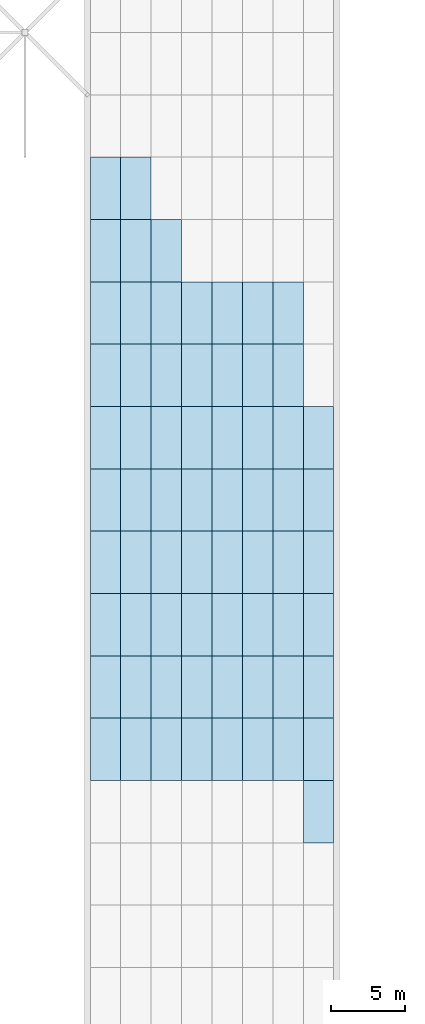
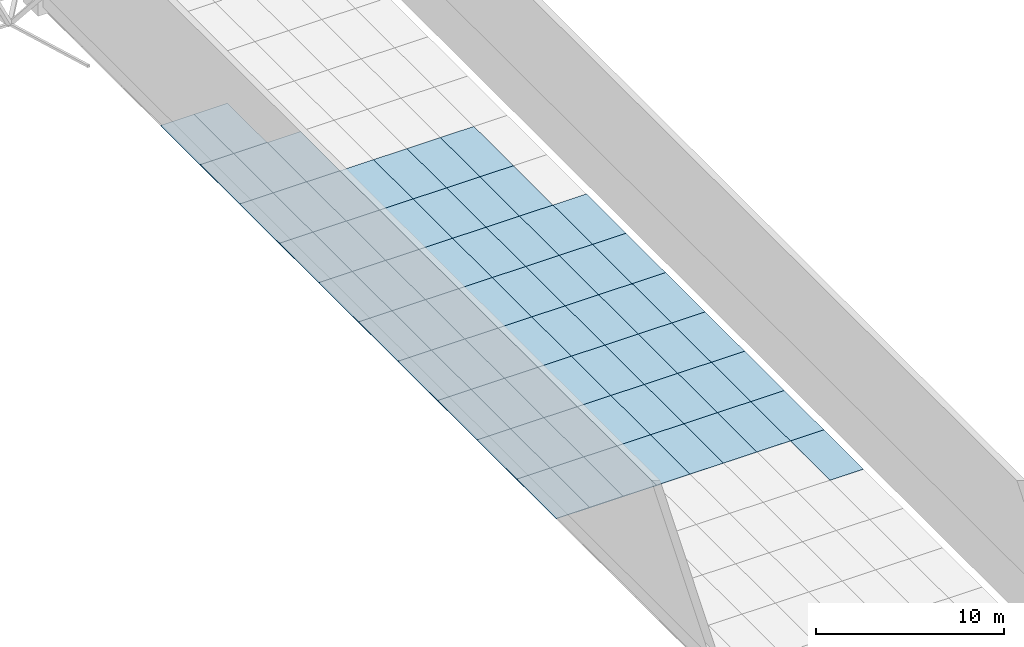
# One storey, part 102 of 163: 68 slabs.
"""IFC4 building model written with IfcOpenShell, lengths in metres."""

from ifc_helpers import new_model, si_unit, direction, frame, origin, place, context, subcontext, project, spatial, polyline, outline, extrude, material, layer, layer_set, type_object, element, save


model = new_model("IFC4")

# Units and contexts
model_context = context("Model", 3, precision=1e-05, world=origin(), true_north=direction((0.0, 1.0)))
body_context = subcontext(model_context, "Body", "Model", "MODEL_VIEW")
ifc_project = project(units=[si_unit("LENGTHUNIT", "METRE"), si_unit("AREAUNIT", "SQUARE_METRE"), si_unit("VOLUMEUNIT", "CUBIC_METRE"), si_unit("PLANEANGLEUNIT", "RADIAN"), si_unit("MASSUNIT", "GRAM", prefix="KILO")], contexts=[model_context])

# Site, building, storey
site_placement = place(None, origin())
site = spatial("IfcSite", under=ifc_project, at=site_placement, CompositionType="ELEMENT")
building_placement = place(site_placement, origin())
building = spatial("IfcBuilding", under=site, at=building_placement, Name="Rain Tree Exposition and Congress Centre", CompositionType="ELEMENT")
storey_placement = place(building_placement, frame((0.0, 0.0, 10.5)))
storey = spatial("IfcBuildingStorey", under=building, at=storey_placement, Name="L02", CompositionType="ELEMENT", Elevation=10.5)

# Slabs
ifc_material = material(Name="Glazing in S355 steel frame, S355J2H tubes", Category="steel")
ifc_layer = layer(ifc_material, 0.0400390625)
ifc_layer_set = layer_set([ifc_layer], Name="Glazing in S355 steel frame, S355J2H tubes")
slab_type = type_object("IfcSlabType", Name="Link roof glass panel 40", PredefinedType="ROOF", material=ifc_layer_set)
slab_1_placement = place(storey_placement, frame((0.0, 0.0, -0.185791015625)))
element("IfcSlab", 1, at=slab_1_placement, inside=storey, type_object=slab_type, Name="Link roof glass panel 88", PredefinedType="ROOF", context=body_context, shape_type="SweptSolid", body=[
    extrude(outline(polyline([(140.550048828125, 142.800048828125), (142.60009765625, 142.800048828125), (142.60009765625, 147.0), (140.550048828125, 147.0), (140.550048828125, 142.800048828125)])), origin(), (0.0, 0.0, 1.0), 0.0400390625),
])
slab_2_placement = place(storey_placement, frame((0.0, 0.0, -0.185791015625)))
element("IfcSlab", 2, at=slab_2_placement, inside=storey, type_object=slab_type, Name="Link roof glass panel 89", PredefinedType="ROOF", context=body_context, shape_type="SweptSolid", body=[
    extrude(outline(polyline([(126.199951171875, 147.0), (128.25, 147.0), (128.25, 151.199951171875), (126.199951171875, 151.199951171875), (126.199951171875, 147.0)])), origin(), (0.0, 0.0, 1.0), 0.0400390625),
])
slab_3_placement = place(storey_placement, frame((0.0, 0.0, -0.185791015625)))
element("IfcSlab", 3, at=slab_3_placement, inside=storey, type_object=slab_type, Name="Link roof glass panel 90", PredefinedType="ROOF", context=body_context, shape_type="SweptSolid", body=[
    extrude(outline(polyline([(128.25, 147.0), (130.300048828125, 147.0), (130.300048828125, 151.199951171875), (128.25, 151.199951171875), (128.25, 147.0)])), origin(), (0.0, 0.0, 1.0), 0.0400390625),
])
slab_4_placement = place(storey_placement, frame((0.0, 0.0, -0.185791015625)))
element("IfcSlab", 4, at=slab_4_placement, inside=storey, type_object=slab_type, Name="Link roof glass panel 91", PredefinedType="ROOF", context=body_context, shape_type="SweptSolid", body=[
    extrude(outline(polyline([(130.300048828125, 147.0), (132.35009765625, 147.0), (132.35009765625, 151.199951171875), (130.300048828125, 151.199951171875), (130.300048828125, 147.0)])), origin(), (0.0, 0.0, 1.0), 0.0400390625),
])
slab_5_placement = place(storey_placement, frame((0.0, 0.0, -0.185791015625)))
element("IfcSlab", 5, at=slab_5_placement, inside=storey, type_object=slab_type, Name="Link roof glass panel 92", PredefinedType="ROOF", context=body_context, shape_type="SweptSolid", body=[
    extrude(outline(polyline([(132.35009765625, 147.0), (134.39990234375, 147.0), (134.39990234375, 151.199951171875), (132.35009765625, 151.199951171875), (132.35009765625, 147.0)])), origin(), (0.0, 0.0, 1.0), 0.0400390625),
])
slab_6_placement = place(storey_placement, frame((0.0, 0.0, -0.185791015625)))
element("IfcSlab", 6, at=slab_6_placement, inside=storey, type_object=slab_type, Name="Link roof glass panel 93", PredefinedType="ROOF", context=body_context, shape_type="SweptSolid", body=[
    extrude(outline(polyline([(134.39990234375, 147.0), (136.449951171875, 147.0), (136.449951171875, 151.199951171875), (134.39990234375, 151.199951171875), (134.39990234375, 147.0)])), origin(), (0.0, 0.0, 1.0), 0.0400390625),
])
slab_7_placement = place(storey_placement, frame((0.0, 0.0, -0.185791015625)))
element("IfcSlab", 7, at=slab_7_placement, inside=storey, type_object=slab_type, Name="Link roof glass panel 94", PredefinedType="ROOF", context=body_context, shape_type="SweptSolid", body=[
    extrude(outline(polyline([(136.449951171875, 147.0), (138.5, 147.0), (138.5, 151.199951171875), (136.449951171875, 151.199951171875), (136.449951171875, 147.0)])), origin(), (0.0, 0.0, 1.0), 0.0400390625),
])
slab_8_placement = place(storey_placement, frame((0.0, 0.0, -0.185791015625)))
element("IfcSlab", 8, at=slab_8_placement, inside=storey, type_object=slab_type, Name="Link roof glass panel 95", PredefinedType="ROOF", context=body_context, shape_type="SweptSolid", body=[
    extrude(outline(polyline([(138.5, 147.0), (140.550048828125, 147.0), (140.550048828125, 151.199951171875), (138.5, 151.199951171875), (138.5, 147.0)])), origin(), (0.0, 0.0, 1.0), 0.0400390625),
])
slab_9_placement = place(storey_placement, frame((0.0, 0.0, -0.185791015625)))
element("IfcSlab", 9, at=slab_9_placement, inside=storey, type_object=slab_type, Name="Link roof glass panel 96", PredefinedType="ROOF", context=body_context, shape_type="SweptSolid", body=[
    extrude(outline(polyline([(140.550048828125, 147.0), (142.60009765625, 147.0), (142.60009765625, 151.199951171875), (140.550048828125, 151.199951171875), (140.550048828125, 147.0)])), origin(), (0.0, 0.0, 1.0), 0.0400390625),
])
slab_10_placement = place(storey_placement, frame((0.0, 0.0, -0.185791015625)))
element("IfcSlab", 10, at=slab_10_placement, inside=storey, type_object=slab_type, Name="Link roof glass panel 97", PredefinedType="ROOF", context=body_context, shape_type="SweptSolid", body=[
    extrude(outline(polyline([(126.199951171875, 151.199951171875), (128.25, 151.199951171875), (128.25, 155.39990234375), (126.199951171875, 155.39990234375), (126.199951171875, 151.199951171875)])), origin(), (0.0, 0.0, 1.0), 0.0400390625),
])
slab_11_placement = place(storey_placement, frame((0.0, 0.0, -0.185791015625)))
element("IfcSlab", 11, at=slab_11_placement, inside=storey, type_object=slab_type, Name="Link roof glass panel 98", PredefinedType="ROOF", context=body_context, shape_type="SweptSolid", body=[
    extrude(outline(polyline([(128.25, 151.199951171875), (130.300048828125, 151.199951171875), (130.300048828125, 155.39990234375), (128.25, 155.39990234375), (128.25, 151.199951171875)])), origin(), (0.0, 0.0, 1.0), 0.0400390625),
])
slab_12_placement = place(storey_placement, frame((0.0, 0.0, -0.185791015625)))
element("IfcSlab", 12, at=slab_12_placement, inside=storey, type_object=slab_type, Name="Link roof glass panel 99", PredefinedType="ROOF", context=body_context, shape_type="SweptSolid", body=[
    extrude(outline(polyline([(130.300048828125, 151.199951171875), (132.35009765625, 151.199951171875), (132.35009765625, 155.39990234375), (130.300048828125, 155.39990234375), (130.300048828125, 151.199951171875)])), origin(), (0.0, 0.0, 1.0), 0.0400390625),
])
slab_13_placement = place(storey_placement, frame((0.0, 0.0, -0.185791015625)))
element("IfcSlab", 13, at=slab_13_placement, inside=storey, type_object=slab_type, Name="Link roof glass panel 100", PredefinedType="ROOF", context=body_context, shape_type="SweptSolid", body=[
    extrude(outline(polyline([(132.35009765625, 151.199951171875), (134.39990234375, 151.199951171875), (134.39990234375, 155.39990234375), (132.35009765625, 155.39990234375), (132.35009765625, 151.199951171875)])), origin(), (0.0, 0.0, 1.0), 0.0400390625),
])
slab_14_placement = place(storey_placement, frame((0.0, 0.0, -0.185791015625)))
element("IfcSlab", 14, at=slab_14_placement, inside=storey, type_object=slab_type, Name="Link roof glass panel 101", PredefinedType="ROOF", context=body_context, shape_type="SweptSolid", body=[
    extrude(outline(polyline([(134.39990234375, 151.199951171875), (136.449951171875, 151.199951171875), (136.449951171875, 155.39990234375), (134.39990234375, 155.39990234375), (134.39990234375, 151.199951171875)])), origin(), (0.0, 0.0, 1.0), 0.0400390625),
])
slab_15_placement = place(storey_placement, frame((0.0, 0.0, -0.185791015625)))
element("IfcSlab", 15, at=slab_15_placement, inside=storey, type_object=slab_type, Name="Link roof glass panel 102", PredefinedType="ROOF", context=body_context, shape_type="SweptSolid", body=[
    extrude(outline(polyline([(136.449951171875, 151.199951171875), (138.5, 151.199951171875), (138.5, 155.39990234375), (136.449951171875, 155.39990234375), (136.449951171875, 151.199951171875)])), origin(), (0.0, 0.0, 1.0), 0.0400390625),
])
slab_16_placement = place(storey_placement, frame((0.0, 0.0, -0.185791015625)))
element("IfcSlab", 16, at=slab_16_placement, inside=storey, type_object=slab_type, Name="Link roof glass panel 103", PredefinedType="ROOF", context=body_context, shape_type="SweptSolid", body=[
    extrude(outline(polyline([(138.5, 151.199951171875), (140.550048828125, 151.199951171875), (140.550048828125, 155.39990234375), (138.5, 155.39990234375), (138.5, 151.199951171875)])), origin(), (0.0, 0.0, 1.0), 0.0400390625),
])
slab_17_placement = place(storey_placement, frame((0.0, 0.0, -0.185791015625)))
element("IfcSlab", 17, at=slab_17_placement, inside=storey, type_object=slab_type, Name="Link roof glass panel 104", PredefinedType="ROOF", context=body_context, shape_type="SweptSolid", body=[
    extrude(outline(polyline([(140.550048828125, 151.199951171875), (142.60009765625, 151.199951171875), (142.60009765625, 155.39990234375), (140.550048828125, 155.39990234375), (140.550048828125, 151.199951171875)])), origin(), (0.0, 0.0, 1.0), 0.0400390625),
])
slab_18_placement = place(storey_placement, frame((0.0, 0.0, -0.185791015625)))
element("IfcSlab", 18, at=slab_18_placement, inside=storey, type_object=slab_type, Name="Link roof glass panel 105", PredefinedType="ROOF", context=body_context, shape_type="SweptSolid", body=[
    extrude(outline(polyline([(126.199951171875, 155.39990234375), (128.25, 155.39990234375), (128.25, 159.60009765625), (126.199951171875, 159.60009765625), (126.199951171875, 155.39990234375)])), origin(), (0.0, 0.0, 1.0), 0.0400390625),
])
slab_19_placement = place(storey_placement, frame((0.0, 0.0, -0.185791015625)))
element("IfcSlab", 19, at=slab_19_placement, inside=storey, type_object=slab_type, Name="Link roof glass panel 106", PredefinedType="ROOF", context=body_context, shape_type="SweptSolid", body=[
    extrude(outline(polyline([(128.25, 155.39990234375), (130.300048828125, 155.39990234375), (130.300048828125, 159.60009765625), (128.25, 159.60009765625), (128.25, 155.39990234375)])), origin(), (0.0, 0.0, 1.0), 0.0400390625),
])
slab_20_placement = place(storey_placement, frame((0.0, 0.0, -0.185791015625)))
element("IfcSlab", 20, at=slab_20_placement, inside=storey, type_object=slab_type, Name="Link roof glass panel 107", PredefinedType="ROOF", context=body_context, shape_type="SweptSolid", body=[
    extrude(outline(polyline([(130.300048828125, 155.39990234375), (132.35009765625, 155.39990234375), (132.35009765625, 159.60009765625), (130.300048828125, 159.60009765625), (130.300048828125, 155.39990234375)])), origin(), (0.0, 0.0, 1.0), 0.0400390625),
])
slab_21_placement = place(storey_placement, frame((0.0, 0.0, -0.185791015625)))
element("IfcSlab", 21, at=slab_21_placement, inside=storey, type_object=slab_type, Name="Link roof glass panel 108", PredefinedType="ROOF", context=body_context, shape_type="SweptSolid", body=[
    extrude(outline(polyline([(132.35009765625, 155.39990234375), (134.39990234375, 155.39990234375), (134.39990234375, 159.60009765625), (132.35009765625, 159.60009765625), (132.35009765625, 155.39990234375)])), origin(), (0.0, 0.0, 1.0), 0.0400390625),
])
slab_22_placement = place(storey_placement, frame((0.0, 0.0, -0.185791015625)))
element("IfcSlab", 22, at=slab_22_placement, inside=storey, type_object=slab_type, Name="Link roof glass panel 109", PredefinedType="ROOF", context=body_context, shape_type="SweptSolid", body=[
    extrude(outline(polyline([(134.39990234375, 155.39990234375), (136.449951171875, 155.39990234375), (136.449951171875, 159.60009765625), (134.39990234375, 159.60009765625), (134.39990234375, 155.39990234375)])), origin(), (0.0, 0.0, 1.0), 0.0400390625),
])
slab_23_placement = place(storey_placement, frame((0.0, 0.0, -0.185791015625)))
element("IfcSlab", 23, at=slab_23_placement, inside=storey, type_object=slab_type, Name="Link roof glass panel 110", PredefinedType="ROOF", context=body_context, shape_type="SweptSolid", body=[
    extrude(outline(polyline([(136.449951171875, 155.39990234375), (138.5, 155.39990234375), (138.5, 159.60009765625), (136.449951171875, 159.60009765625), (136.449951171875, 155.39990234375)])), origin(), (0.0, 0.0, 1.0), 0.0400390625),
])
slab_24_placement = place(storey_placement, frame((0.0, 0.0, -0.185791015625)))
element("IfcSlab", 24, at=slab_24_placement, inside=storey, type_object=slab_type, Name="Link roof glass panel 111", PredefinedType="ROOF", context=body_context, shape_type="SweptSolid", body=[
    extrude(outline(polyline([(138.5, 155.39990234375), (140.550048828125, 155.39990234375), (140.550048828125, 159.60009765625), (138.5, 159.60009765625), (138.5, 155.39990234375)])), origin(), (0.0, 0.0, 1.0), 0.0400390625),
])
slab_25_placement = place(storey_placement, frame((0.0, 0.0, -0.185791015625)))
element("IfcSlab", 25, at=slab_25_placement, inside=storey, type_object=slab_type, Name="Link roof glass panel 112", PredefinedType="ROOF", context=body_context, shape_type="SweptSolid", body=[
    extrude(outline(polyline([(140.550048828125, 155.39990234375), (142.60009765625, 155.39990234375), (142.60009765625, 159.60009765625), (140.550048828125, 159.60009765625), (140.550048828125, 155.39990234375)])), origin(), (0.0, 0.0, 1.0), 0.0400390625),
])
slab_26_placement = place(storey_placement, frame((0.0, 0.0, -0.185791015625)))
element("IfcSlab", 26, at=slab_26_placement, inside=storey, type_object=slab_type, Name="Link roof glass panel 113", PredefinedType="ROOF", context=body_context, shape_type="SweptSolid", body=[
    extrude(outline(polyline([(126.199951171875, 159.60009765625), (128.25, 159.60009765625), (128.25, 163.800048828125), (126.199951171875, 163.800048828125), (126.199951171875, 159.60009765625)])), origin(), (0.0, 0.0, 1.0), 0.0400390625),
])
slab_27_placement = place(storey_placement, frame((0.0, 0.0, -0.185791015625)))
element("IfcSlab", 27, at=slab_27_placement, inside=storey, type_object=slab_type, Name="Link roof glass panel 114", PredefinedType="ROOF", context=body_context, shape_type="SweptSolid", body=[
    extrude(outline(polyline([(128.25, 159.60009765625), (130.300048828125, 159.60009765625), (130.300048828125, 163.800048828125), (128.25, 163.800048828125), (128.25, 159.60009765625)])), origin(), (0.0, 0.0, 1.0), 0.0400390625),
])
slab_28_placement = place(storey_placement, frame((0.0, 0.0, -0.185791015625)))
element("IfcSlab", 28, at=slab_28_placement, inside=storey, type_object=slab_type, Name="Link roof glass panel 115", PredefinedType="ROOF", context=body_context, shape_type="SweptSolid", body=[
    extrude(outline(polyline([(130.300048828125, 159.60009765625), (132.35009765625, 159.60009765625), (132.35009765625, 163.800048828125), (130.300048828125, 163.800048828125), (130.300048828125, 159.60009765625)])), origin(), (0.0, 0.0, 1.0), 0.0400390625),
])
slab_29_placement = place(storey_placement, frame((0.0, 0.0, -0.185791015625)))
element("IfcSlab", 29, at=slab_29_placement, inside=storey, type_object=slab_type, Name="Link roof glass panel 116", PredefinedType="ROOF", context=body_context, shape_type="SweptSolid", body=[
    extrude(outline(polyline([(132.35009765625, 159.60009765625), (134.39990234375, 159.60009765625), (134.39990234375, 163.800048828125), (132.35009765625, 163.800048828125), (132.35009765625, 159.60009765625)])), origin(), (0.0, 0.0, 1.0), 0.0400390625),
])
slab_30_placement = place(storey_placement, frame((0.0, 0.0, -0.185791015625)))
element("IfcSlab", 30, at=slab_30_placement, inside=storey, type_object=slab_type, Name="Link roof glass panel 117", PredefinedType="ROOF", context=body_context, shape_type="SweptSolid", body=[
    extrude(outline(polyline([(134.39990234375, 159.60009765625), (136.449951171875, 159.60009765625), (136.449951171875, 163.800048828125), (134.39990234375, 163.800048828125), (134.39990234375, 159.60009765625)])), origin(), (0.0, 0.0, 1.0), 0.0400390625),
])
slab_31_placement = place(storey_placement, frame((0.0, 0.0, -0.185791015625)))
element("IfcSlab", 31, at=slab_31_placement, inside=storey, type_object=slab_type, Name="Link roof glass panel 118", PredefinedType="ROOF", context=body_context, shape_type="SweptSolid", body=[
    extrude(outline(polyline([(136.449951171875, 159.60009765625), (138.5, 159.60009765625), (138.5, 163.800048828125), (136.449951171875, 163.800048828125), (136.449951171875, 159.60009765625)])), origin(), (0.0, 0.0, 1.0), 0.0400390625),
])
slab_32_placement = place(storey_placement, frame((0.0, 0.0, -0.185791015625)))
element("IfcSlab", 32, at=slab_32_placement, inside=storey, type_object=slab_type, Name="Link roof glass panel 119", PredefinedType="ROOF", context=body_context, shape_type="SweptSolid", body=[
    extrude(outline(polyline([(138.5, 159.60009765625), (140.550048828125, 159.60009765625), (140.550048828125, 163.800048828125), (138.5, 163.800048828125), (138.5, 159.60009765625)])), origin(), (0.0, 0.0, 1.0), 0.0400390625),
])
slab_33_placement = place(storey_placement, frame((0.0, 0.0, -0.185791015625)))
element("IfcSlab", 33, at=slab_33_placement, inside=storey, type_object=slab_type, Name="Link roof glass panel 120", PredefinedType="ROOF", context=body_context, shape_type="SweptSolid", body=[
    extrude(outline(polyline([(140.550048828125, 159.60009765625), (142.60009765625, 159.60009765625), (142.60009765625, 163.800048828125), (140.550048828125, 163.800048828125), (140.550048828125, 159.60009765625)])), origin(), (0.0, 0.0, 1.0), 0.0400390625),
])
slab_34_placement = place(storey_placement, frame((0.0, 0.0, -0.185791015625)))
element("IfcSlab", 34, at=slab_34_placement, inside=storey, type_object=slab_type, Name="Link roof glass panel 121", PredefinedType="ROOF", context=body_context, shape_type="SweptSolid", body=[
    extrude(outline(polyline([(126.199951171875, 163.800048828125), (128.25, 163.800048828125), (128.25, 168.0), (126.199951171875, 168.0), (126.199951171875, 163.800048828125)])), origin(), (0.0, 0.0, 1.0), 0.0400390625),
])
slab_35_placement = place(storey_placement, frame((0.0, 0.0, -0.185791015625)))
element("IfcSlab", 35, at=slab_35_placement, inside=storey, type_object=slab_type, Name="Link roof glass panel 122", PredefinedType="ROOF", context=body_context, shape_type="SweptSolid", body=[
    extrude(outline(polyline([(128.25, 163.800048828125), (130.300048828125, 163.800048828125), (130.300048828125, 168.0), (128.25, 168.0), (128.25, 163.800048828125)])), origin(), (0.0, 0.0, 1.0), 0.0400390625),
])
slab_36_placement = place(storey_placement, frame((0.0, 0.0, -0.185791015625)))
element("IfcSlab", 36, at=slab_36_placement, inside=storey, type_object=slab_type, Name="Link roof glass panel 123", PredefinedType="ROOF", context=body_context, shape_type="SweptSolid", body=[
    extrude(outline(polyline([(130.300048828125, 163.800048828125), (132.35009765625, 163.800048828125), (132.35009765625, 168.0), (130.300048828125, 168.0), (130.300048828125, 163.800048828125)])), origin(), (0.0, 0.0, 1.0), 0.0400390625),
])
slab_37_placement = place(storey_placement, frame((0.0, 0.0, -0.185791015625)))
element("IfcSlab", 37, at=slab_37_placement, inside=storey, type_object=slab_type, Name="Link roof glass panel 124", PredefinedType="ROOF", context=body_context, shape_type="SweptSolid", body=[
    extrude(outline(polyline([(132.35009765625, 163.800048828125), (134.39990234375, 163.800048828125), (134.39990234375, 168.0), (132.35009765625, 168.0), (132.35009765625, 163.800048828125)])), origin(), (0.0, 0.0, 1.0), 0.0400390625),
])
slab_38_placement = place(storey_placement, frame((0.0, 0.0, -0.185791015625)))
element("IfcSlab", 38, at=slab_38_placement, inside=storey, type_object=slab_type, Name="Link roof glass panel 125", PredefinedType="ROOF", context=body_context, shape_type="SweptSolid", body=[
    extrude(outline(polyline([(134.39990234375, 163.800048828125), (136.449951171875, 163.800048828125), (136.449951171875, 168.0), (134.39990234375, 168.0), (134.39990234375, 163.800048828125)])), origin(), (0.0, 0.0, 1.0), 0.0400390625),
])
slab_39_placement = place(storey_placement, frame((0.0, 0.0, -0.185791015625)))
element("IfcSlab", 39, at=slab_39_placement, inside=storey, type_object=slab_type, Name="Link roof glass panel 126", PredefinedType="ROOF", context=body_context, shape_type="SweptSolid", body=[
    extrude(outline(polyline([(136.449951171875, 163.800048828125), (138.5, 163.800048828125), (138.5, 168.0), (136.449951171875, 168.0), (136.449951171875, 163.800048828125)])), origin(), (0.0, 0.0, 1.0), 0.0400390625),
])
slab_40_placement = place(storey_placement, frame((0.0, 0.0, -0.185791015625)))
element("IfcSlab", 40, at=slab_40_placement, inside=storey, type_object=slab_type, Name="Link roof glass panel 127", PredefinedType="ROOF", context=body_context, shape_type="SweptSolid", body=[
    extrude(outline(polyline([(138.5, 163.800048828125), (140.550048828125, 163.800048828125), (140.550048828125, 168.0), (138.5, 168.0), (138.5, 163.800048828125)])), origin(), (0.0, 0.0, 1.0), 0.0400390625),
])
slab_41_placement = place(storey_placement, frame((0.0, 0.0, -0.185791015625)))
element("IfcSlab", 41, at=slab_41_placement, inside=storey, type_object=slab_type, Name="Link roof glass panel 128", PredefinedType="ROOF", context=body_context, shape_type="SweptSolid", body=[
    extrude(outline(polyline([(140.550048828125, 163.800048828125), (142.60009765625, 163.800048828125), (142.60009765625, 168.0), (140.550048828125, 168.0), (140.550048828125, 163.800048828125)])), origin(), (0.0, 0.0, 1.0), 0.0400390625),
])
slab_42_placement = place(storey_placement, frame((0.0, 0.0, -0.185791015625)))
element("IfcSlab", 42, at=slab_42_placement, inside=storey, type_object=slab_type, Name="Link roof glass panel 129", PredefinedType="ROOF", context=body_context, shape_type="SweptSolid", body=[
    extrude(outline(polyline([(126.199951171875, 168.0), (128.25, 168.0), (128.25, 172.199951171875), (126.199951171875, 172.199951171875), (126.199951171875, 168.0)])), origin(), (0.0, 0.0, 1.0), 0.0400390625),
])
slab_43_placement = place(storey_placement, frame((0.0, 0.0, -0.185791015625)))
element("IfcSlab", 43, at=slab_43_placement, inside=storey, type_object=slab_type, Name="Link roof glass panel 130", PredefinedType="ROOF", context=body_context, shape_type="SweptSolid", body=[
    extrude(outline(polyline([(128.25, 168.0), (130.300048828125, 168.0), (130.300048828125, 172.199951171875), (128.25, 172.199951171875), (128.25, 168.0)])), origin(), (0.0, 0.0, 1.0), 0.0400390625),
])
slab_44_placement = place(storey_placement, frame((0.0, 0.0, -0.185791015625)))
element("IfcSlab", 44, at=slab_44_placement, inside=storey, type_object=slab_type, Name="Link roof glass panel 131", PredefinedType="ROOF", context=body_context, shape_type="SweptSolid", body=[
    extrude(outline(polyline([(130.300048828125, 168.0), (132.35009765625, 168.0), (132.35009765625, 172.199951171875), (130.300048828125, 172.199951171875), (130.300048828125, 168.0)])), origin(), (0.0, 0.0, 1.0), 0.0400390625),
])
slab_45_placement = place(storey_placement, frame((0.0, 0.0, -0.185791015625)))
element("IfcSlab", 45, at=slab_45_placement, inside=storey, type_object=slab_type, Name="Link roof glass panel 132", PredefinedType="ROOF", context=body_context, shape_type="SweptSolid", body=[
    extrude(outline(polyline([(132.35009765625, 168.0), (134.39990234375, 168.0), (134.39990234375, 172.199951171875), (132.35009765625, 172.199951171875), (132.35009765625, 168.0)])), origin(), (0.0, 0.0, 1.0), 0.0400390625),
])
slab_46_placement = place(storey_placement, frame((0.0, 0.0, -0.185791015625)))
element("IfcSlab", 46, at=slab_46_placement, inside=storey, type_object=slab_type, Name="Link roof glass panel 133", PredefinedType="ROOF", context=body_context, shape_type="SweptSolid", body=[
    extrude(outline(polyline([(134.39990234375, 168.0), (136.449951171875, 168.0), (136.449951171875, 172.199951171875), (134.39990234375, 172.199951171875), (134.39990234375, 168.0)])), origin(), (0.0, 0.0, 1.0), 0.0400390625),
])
slab_47_placement = place(storey_placement, frame((0.0, 0.0, -0.185791015625)))
element("IfcSlab", 47, at=slab_47_placement, inside=storey, type_object=slab_type, Name="Link roof glass panel 134", PredefinedType="ROOF", context=body_context, shape_type="SweptSolid", body=[
    extrude(outline(polyline([(136.449951171875, 168.0), (138.5, 168.0), (138.5, 172.199951171875), (136.449951171875, 172.199951171875), (136.449951171875, 168.0)])), origin(), (0.0, 0.0, 1.0), 0.0400390625),
])
slab_48_placement = place(storey_placement, frame((0.0, 0.0, -0.185791015625)))
element("IfcSlab", 48, at=slab_48_placement, inside=storey, type_object=slab_type, Name="Link roof glass panel 135", PredefinedType="ROOF", context=body_context, shape_type="SweptSolid", body=[
    extrude(outline(polyline([(138.5, 168.0), (140.550048828125, 168.0), (140.550048828125, 172.199951171875), (138.5, 172.199951171875), (138.5, 168.0)])), origin(), (0.0, 0.0, 1.0), 0.0400390625),
])
slab_49_placement = place(storey_placement, frame((0.0, 0.0, -0.185791015625)))
element("IfcSlab", 49, at=slab_49_placement, inside=storey, type_object=slab_type, Name="Link roof glass panel 136", PredefinedType="ROOF", context=body_context, shape_type="SweptSolid", body=[
    extrude(outline(polyline([(140.550048828125, 168.0), (142.60009765625, 168.0), (142.60009765625, 172.199951171875), (140.550048828125, 172.199951171875), (140.550048828125, 168.0)])), origin(), (0.0, 0.0, 1.0), 0.0400390625),
])
slab_50_placement = place(storey_placement, frame((0.0, 0.0, -0.185791015625)))
element("IfcSlab", 50, at=slab_50_placement, inside=storey, type_object=slab_type, Name="Link roof glass panel 137", PredefinedType="ROOF", context=body_context, shape_type="SweptSolid", body=[
    extrude(outline(polyline([(126.199951171875, 172.199951171875), (128.25, 172.199951171875), (128.25, 176.39990234375), (126.199951171875, 176.39990234375), (126.199951171875, 172.199951171875)])), origin(), (0.0, 0.0, 1.0), 0.0400390625),
])
slab_51_placement = place(storey_placement, frame((0.0, 0.0, -0.185791015625)))
element("IfcSlab", 51, at=slab_51_placement, inside=storey, type_object=slab_type, Name="Link roof glass panel 138", PredefinedType="ROOF", context=body_context, shape_type="SweptSolid", body=[
    extrude(outline(polyline([(128.25, 172.199951171875), (130.300048828125, 172.199951171875), (130.300048828125, 176.39990234375), (128.25, 176.39990234375), (128.25, 172.199951171875)])), origin(), (0.0, 0.0, 1.0), 0.0400390625),
])
slab_52_placement = place(storey_placement, frame((0.0, 0.0, -0.185791015625)))
element("IfcSlab", 52, at=slab_52_placement, inside=storey, type_object=slab_type, Name="Link roof glass panel 139", PredefinedType="ROOF", context=body_context, shape_type="SweptSolid", body=[
    extrude(outline(polyline([(130.300048828125, 172.199951171875), (132.35009765625, 172.199951171875), (132.35009765625, 176.39990234375), (130.300048828125, 176.39990234375), (130.300048828125, 172.199951171875)])), origin(), (0.0, 0.0, 1.0), 0.0400390625),
])
slab_53_placement = place(storey_placement, frame((0.0, 0.0, -0.185791015625)))
element("IfcSlab", 53, at=slab_53_placement, inside=storey, type_object=slab_type, Name="Link roof glass panel 140", PredefinedType="ROOF", context=body_context, shape_type="SweptSolid", body=[
    extrude(outline(polyline([(132.35009765625, 172.199951171875), (134.39990234375, 172.199951171875), (134.39990234375, 176.39990234375), (132.35009765625, 176.39990234375), (132.35009765625, 172.199951171875)])), origin(), (0.0, 0.0, 1.0), 0.0400390625),
])
slab_54_placement = place(storey_placement, frame((0.0, 0.0, -0.185791015625)))
element("IfcSlab", 54, at=slab_54_placement, inside=storey, type_object=slab_type, Name="Link roof glass panel 141", PredefinedType="ROOF", context=body_context, shape_type="SweptSolid", body=[
    extrude(outline(polyline([(134.39990234375, 172.199951171875), (136.449951171875, 172.199951171875), (136.449951171875, 176.39990234375), (134.39990234375, 176.39990234375), (134.39990234375, 172.199951171875)])), origin(), (0.0, 0.0, 1.0), 0.0400390625),
])
slab_55_placement = place(storey_placement, frame((0.0, 0.0, -0.185791015625)))
element("IfcSlab", 55, at=slab_55_placement, inside=storey, type_object=slab_type, Name="Link roof glass panel 142", PredefinedType="ROOF", context=body_context, shape_type="SweptSolid", body=[
    extrude(outline(polyline([(136.449951171875, 172.199951171875), (138.5, 172.199951171875), (138.5, 176.39990234375), (136.449951171875, 176.39990234375), (136.449951171875, 172.199951171875)])), origin(), (0.0, 0.0, 1.0), 0.0400390625),
])
slab_56_placement = place(storey_placement, frame((0.0, 0.0, -0.185791015625)))
element("IfcSlab", 56, at=slab_56_placement, inside=storey, type_object=slab_type, Name="Link roof glass panel 143", PredefinedType="ROOF", context=body_context, shape_type="SweptSolid", body=[
    extrude(outline(polyline([(138.5, 172.199951171875), (140.550048828125, 172.199951171875), (140.550048828125, 176.39990234375), (138.5, 176.39990234375), (138.5, 172.199951171875)])), origin(), (0.0, 0.0, 1.0), 0.0400390625),
])
slab_57_placement = place(storey_placement, frame((0.0, 0.0, -0.185791015625)))
element("IfcSlab", 57, at=slab_57_placement, inside=storey, type_object=slab_type, Name="Link roof glass panel 145", PredefinedType="ROOF", context=body_context, shape_type="SweptSolid", body=[
    extrude(outline(polyline([(126.199951171875, 176.39990234375), (128.25, 176.39990234375), (128.25, 180.60009765625), (126.199951171875, 180.60009765625), (126.199951171875, 176.39990234375)])), origin(), (0.0, 0.0, 1.0), 0.0400390625),
])
slab_58_placement = place(storey_placement, frame((0.0, 0.0, -0.185791015625)))
element("IfcSlab", 58, at=slab_58_placement, inside=storey, type_object=slab_type, Name="Link roof glass panel 146", PredefinedType="ROOF", context=body_context, shape_type="SweptSolid", body=[
    extrude(outline(polyline([(128.25, 176.39990234375), (130.300048828125, 176.39990234375), (130.300048828125, 180.60009765625), (128.25, 180.60009765625), (128.25, 176.39990234375)])), origin(), (0.0, 0.0, 1.0), 0.0400390625),
])
slab_59_placement = place(storey_placement, frame((0.0, 0.0, -0.185791015625)))
element("IfcSlab", 59, at=slab_59_placement, inside=storey, type_object=slab_type, Name="Link roof glass panel 147", PredefinedType="ROOF", context=body_context, shape_type="SweptSolid", body=[
    extrude(outline(polyline([(130.300048828125, 176.39990234375), (132.35009765625, 176.39990234375), (132.35009765625, 180.60009765625), (130.300048828125, 180.60009765625), (130.300048828125, 176.39990234375)])), origin(), (0.0, 0.0, 1.0), 0.0400390625),
])
slab_60_placement = place(storey_placement, frame((0.0, 0.0, -0.185791015625)))
element("IfcSlab", 60, at=slab_60_placement, inside=storey, type_object=slab_type, Name="Link roof glass panel 148", PredefinedType="ROOF", context=body_context, shape_type="SweptSolid", body=[
    extrude(outline(polyline([(132.35009765625, 176.39990234375), (134.39990234375, 176.39990234375), (134.39990234375, 180.60009765625), (132.35009765625, 180.60009765625), (132.35009765625, 176.39990234375)])), origin(), (0.0, 0.0, 1.0), 0.0400390625),
])
slab_61_placement = place(storey_placement, frame((0.0, 0.0, -0.185791015625)))
element("IfcSlab", 61, at=slab_61_placement, inside=storey, type_object=slab_type, Name="Link roof glass panel 149", PredefinedType="ROOF", context=body_context, shape_type="SweptSolid", body=[
    extrude(outline(polyline([(134.39990234375, 176.39990234375), (136.449951171875, 176.39990234375), (136.449951171875, 180.60009765625), (134.39990234375, 180.60009765625), (134.39990234375, 176.39990234375)])), origin(), (0.0, 0.0, 1.0), 0.0400390625),
])
slab_62_placement = place(storey_placement, frame((0.0, 0.0, -0.185791015625)))
element("IfcSlab", 62, at=slab_62_placement, inside=storey, type_object=slab_type, Name="Link roof glass panel 150", PredefinedType="ROOF", context=body_context, shape_type="SweptSolid", body=[
    extrude(outline(polyline([(136.449951171875, 176.39990234375), (138.5, 176.39990234375), (138.5, 180.60009765625), (136.449951171875, 180.60009765625), (136.449951171875, 176.39990234375)])), origin(), (0.0, 0.0, 1.0), 0.0400390625),
])
slab_63_placement = place(storey_placement, frame((0.0, 0.0, -0.185791015625)))
element("IfcSlab", 63, at=slab_63_placement, inside=storey, type_object=slab_type, Name="Link roof glass panel 151", PredefinedType="ROOF", context=body_context, shape_type="SweptSolid", body=[
    extrude(outline(polyline([(138.5, 176.39990234375), (140.550048828125, 176.39990234375), (140.550048828125, 180.60009765625), (138.5, 180.60009765625), (138.5, 176.39990234375)])), origin(), (0.0, 0.0, 1.0), 0.0400390625),
])
slab_64_placement = place(storey_placement, frame((0.0, 0.0, -0.185791015625)))
element("IfcSlab", 64, at=slab_64_placement, inside=storey, type_object=slab_type, Name="Link roof glass panel 153", PredefinedType="ROOF", context=body_context, shape_type="SweptSolid", body=[
    extrude(outline(polyline([(126.199951171875, 180.60009765625), (128.25, 180.60009765625), (128.25, 184.800048828125), (126.199951171875, 184.800048828125), (126.199951171875, 180.60009765625)])), origin(), (0.0, 0.0, 1.0), 0.0400390625),
])
slab_65_placement = place(storey_placement, frame((0.0, 0.0, -0.185791015625)))
element("IfcSlab", 65, at=slab_65_placement, inside=storey, type_object=slab_type, Name="Link roof glass panel 154", PredefinedType="ROOF", context=body_context, shape_type="SweptSolid", body=[
    extrude(outline(polyline([(128.25, 180.60009765625), (130.300048828125, 180.60009765625), (130.300048828125, 184.800048828125), (128.25, 184.800048828125), (128.25, 180.60009765625)])), origin(), (0.0, 0.0, 1.0), 0.0400390625),
])
slab_66_placement = place(storey_placement, frame((0.0, 0.0, -0.185791015625)))
element("IfcSlab", 66, at=slab_66_placement, inside=storey, type_object=slab_type, Name="Link roof glass panel 155", PredefinedType="ROOF", context=body_context, shape_type="SweptSolid", body=[
    extrude(outline(polyline([(130.300048828125, 180.60009765625), (132.35009765625, 180.60009765625), (132.35009765625, 184.800048828125), (130.300048828125, 184.800048828125), (130.300048828125, 180.60009765625)])), origin(), (0.0, 0.0, 1.0), 0.0400390625),
])
slab_67_placement = place(storey_placement, frame((0.0, 0.0, -0.185791015625)))
element("IfcSlab", 67, at=slab_67_placement, inside=storey, type_object=slab_type, Name="Link roof glass panel 161", PredefinedType="ROOF", context=body_context, shape_type="SweptSolid", body=[
    extrude(outline(polyline([(126.199951171875, 184.800048828125), (128.25, 184.800048828125), (128.25, 189.0), (126.199951171875, 189.0), (126.199951171875, 184.800048828125)])), origin(), (0.0, 0.0, 1.0), 0.0400390625),
])
slab_68_placement = place(storey_placement, frame((0.0, 0.0, -0.185791015625)))
element("IfcSlab", 68, at=slab_68_placement, inside=storey, type_object=slab_type, Name="Link roof glass panel 162", PredefinedType="ROOF", context=body_context, shape_type="SweptSolid", body=[
    extrude(outline(polyline([(128.25, 184.800048828125), (130.300048828125, 184.800048828125), (130.300048828125, 189.0), (128.25, 189.0), (128.25, 184.800048828125)])), origin(), (0.0, 0.0, 1.0), 0.0400390625),
])

save(model, "model.ifc")
